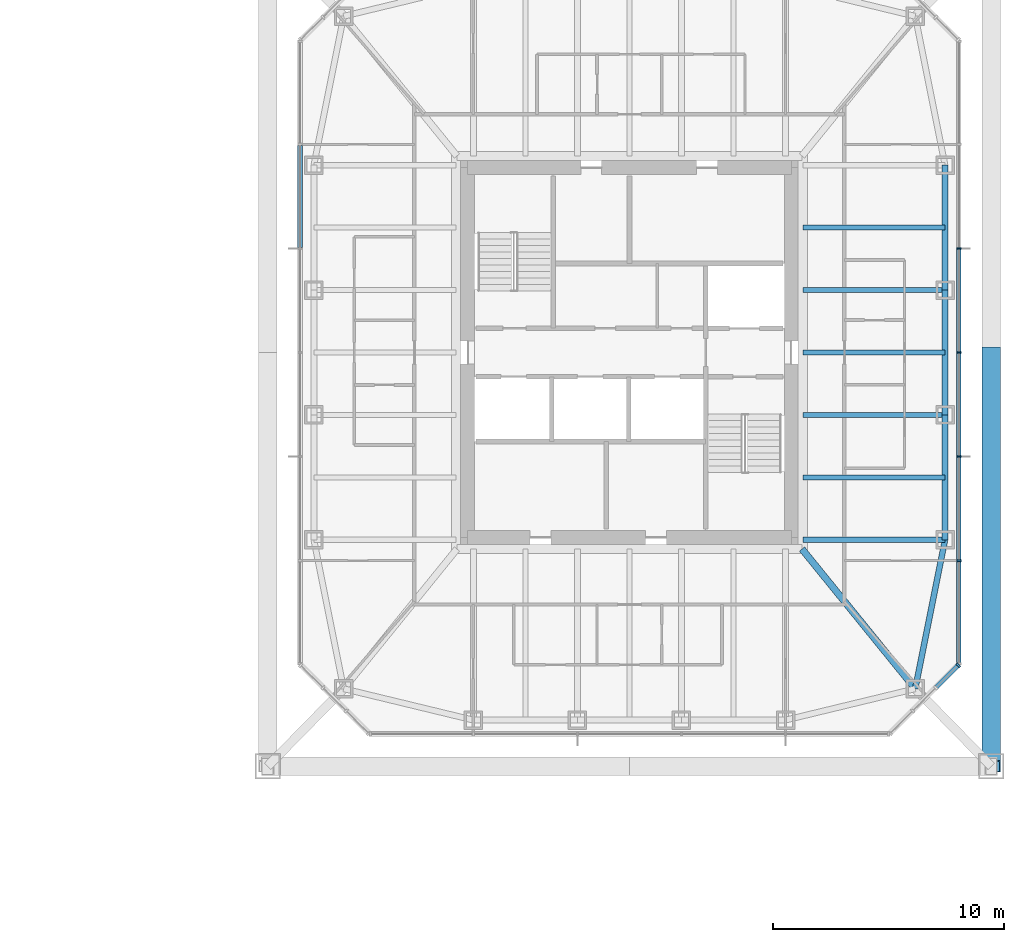
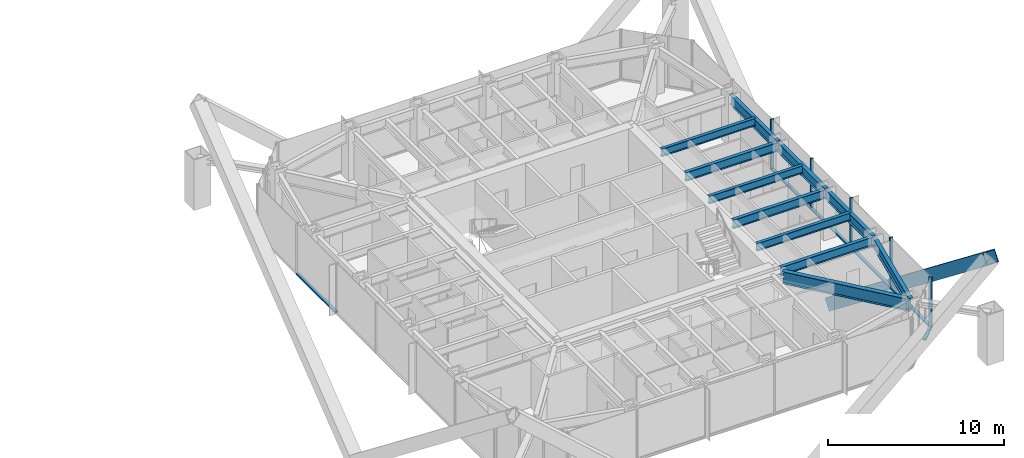
# One storey, part 7 of 23: 12 members, 11 beams, 3 elements without a shape of their own.
"""IFC4 building model written with IfcOpenShell, lengths in metres."""

from ifc_helpers import new_model, si_unit, direction, frame, origin, origin_2d, place, context, subcontext, project, spatial, rectangle, hollow_rectangle, i_section, extrude, material, material_profile, profile_set, type_object, element, aggregate, save


model = new_model("IFC4")

# Units and contexts
model_context = context("Model", 3, precision=1e-05, world=origin(), true_north=direction((0.0, 1.0)))
body_context = subcontext(model_context, "Body", "Model", "MODEL_VIEW")
ifc_project = project(units=[si_unit("LENGTHUNIT", "METRE"), si_unit("AREAUNIT", "SQUARE_METRE"), si_unit("VOLUMEUNIT", "CUBIC_METRE"), si_unit("PLANEANGLEUNIT", "RADIAN"), si_unit("MASSUNIT", "GRAM", prefix="KILO")], contexts=[model_context])

# Site, building, storey
site_placement = place(None, origin())
site = spatial("IfcSite", under=ifc_project, at=site_placement, CompositionType="ELEMENT")
building_placement = place(site_placement, origin())
building = spatial("IfcBuilding", under=site, at=building_placement, Name="Iwan Alto Co-Living Towers", CompositionType="ELEMENT")
storey_placement = place(building_placement, frame((0.0, 0.0, 122.5)))
storey = spatial("IfcBuildingStorey", under=building, at=storey_placement, Name="L33", CompositionType="ELEMENT", Elevation=122.5)

# Curtain wall, members
ifc_material_1 = material(Name="Bronze aluminium unitised frame", Category="aluminium")
curtain_wall_type_1 = type_object("IfcCurtainWallType", Name="CURTAIN WALL CW-C", PredefinedType="NOTDEFINED", material=ifc_material_1)
curtain_wall_1_placement = place(storey_placement, origin())
curtain_wall_1 = element("IfcCurtainWall", 1, at=curtain_wall_1_placement, inside=storey, type_object=curtain_wall_type_1, Name="T2 curtain wall E L33", PredefinedType="NOTDEFINED")
ifc_material_2 = material(Name="Aluminium 6063-T6 bronze anodised", Category="aluminium")
ifc_material_profile_1 = material_profile(ifc_material_2, rectangle(XDim=0.199951171875, YDim=0.080078125, at=origin_2d()), Name="AL 80X200")
ifc_profile_set_1 = profile_set([ifc_material_profile_1], Name="Aluminium 6063-T6 bronze anodised")
member_type_1 = type_object("IfcMemberType", Name="CW-C MULLION 80X200", PredefinedType="MULLION", material=ifc_profile_set_1)
member_1_placement = place(storey_placement, frame((77.25, -9.0, 0.0), z_axis=(0.0, 0.0, 1.0), x_axis=(-1.0, 0.0, 0.0)))
member_1 = element("IfcMember", 2, at=member_1_placement, type_object=member_type_1, Name="CW-C mullion 2", PredefinedType="MULLION", context=body_context, shape_type="SweptSolid", body=[
    extrude(rectangle(XDim=0.199951171875, YDim=0.080078125, at=origin_2d()), origin(), (0.0, 0.0, 1.0), 3.5),
])
member_2_placement = place(storey_placement, frame((77.25, -4.5, 0.0), z_axis=(0.0, 0.0, 1.0), x_axis=(-1.0, 0.0, 0.0)))
member_2 = element("IfcMember", 3, at=member_2_placement, type_object=member_type_1, Name="CW-C mullion 3", PredefinedType="MULLION", context=body_context, shape_type="SweptSolid", body=[
    extrude(rectangle(XDim=0.199951171875, YDim=0.080078125, at=origin_2d()), origin(), (0.0, 0.0, 1.0), 3.5),
])
member_3_placement = place(storey_placement, frame((77.25, 0.0, 0.0), z_axis=(0.0, 0.0, 1.0), x_axis=(-1.0, 0.0, 0.0)))
member_3 = element("IfcMember", 4, at=member_3_placement, type_object=member_type_1, Name="CW-C mullion 4", PredefinedType="MULLION", context=body_context, shape_type="SweptSolid", body=[
    extrude(rectangle(XDim=0.199951171875, YDim=0.080078125, at=origin_2d()), origin(), (0.0, 0.0, 1.0), 3.5),
])
member_4_placement = place(storey_placement, frame((77.25, 4.5, 0.0), z_axis=(0.0, 0.0, 1.0), x_axis=(-1.0, 0.0, 0.0)))
member_4 = element("IfcMember", 5, at=member_4_placement, type_object=member_type_1, Name="CW-C mullion 5", PredefinedType="MULLION", context=body_context, shape_type="SweptSolid", body=[
    extrude(rectangle(XDim=0.199951171875, YDim=0.080078125, at=origin_2d()), origin(), (0.0, 0.0, 1.0), 3.5),
])
ifc_material_3 = material(Name="Aluminium 6063-T6 bronze anodised", Category="aluminium")
ifc_material_profile_2 = material_profile(ifc_material_3, rectangle(XDim=0.199951171875, YDim=0.10009765625, at=origin_2d()), Name="AL 200X100")
ifc_profile_set_2 = profile_set([ifc_material_profile_2], Name="Aluminium 6063-T6 bronze anodised")
member_type_2 = type_object("IfcMemberType", Name="CW-C TRANSOM 200X100", PredefinedType="USERDEFINED", material=ifc_profile_set_2)
member_5_placement = place(storey_placement, frame((77.25, -13.419921875, 0.050048828125), z_axis=(0.0, 1.0, 0.0), x_axis=(-1.0, 0.0, 0.0)))
member_5 = element("IfcMember", 6, at=member_5_placement, type_object=member_type_2, Name="CW-C transom 1.1", ObjectType="TRANSOM", PredefinedType="USERDEFINED", context=body_context, shape_type="SweptSolid", body=[
    extrude(rectangle(XDim=0.199951171875, YDim=0.10009765625, at=origin_2d()), origin(), (0.0, 0.0, 1.0), 4.3798828125),
])
member_6_placement = place(storey_placement, frame((77.25, -8.9599609375, 0.050048828125), z_axis=(0.0, 1.0, 0.0), x_axis=(-1.0, 0.0, 0.0)))
member_6 = element("IfcMember", 7, at=member_6_placement, type_object=member_type_2, Name="CW-C transom 2.1", ObjectType="TRANSOM", PredefinedType="USERDEFINED", context=body_context, shape_type="SweptSolid", body=[
    extrude(rectangle(XDim=0.199951171875, YDim=0.10009765625, at=origin_2d()), origin(), (0.0, 0.0, 1.0), 4.419921875),
])
member_7_placement = place(storey_placement, frame((77.25, -4.4599609375, 0.050048828125), z_axis=(0.0, 1.0, 0.0), x_axis=(-1.0, 0.0, 0.0)))
member_7 = element("IfcMember", 8, at=member_7_placement, type_object=member_type_2, Name="CW-C transom 3.1", ObjectType="TRANSOM", PredefinedType="USERDEFINED", context=body_context, shape_type="SweptSolid", body=[
    extrude(rectangle(XDim=0.199951171875, YDim=0.10009765625, at=origin_2d()), origin(), (0.0, 0.0, 1.0), 4.419921875),
])
member_8_placement = place(storey_placement, frame((77.25, 0.0400390625, 0.050048828125), z_axis=(0.0, 1.0, 0.0), x_axis=(-1.0, 0.0, 0.0)))
member_8 = element("IfcMember", 9, at=member_8_placement, type_object=member_type_2, Name="CW-C transom 4.1", ObjectType="TRANSOM", PredefinedType="USERDEFINED", context=body_context, shape_type="SweptSolid", body=[
    extrude(rectangle(XDim=0.199951171875, YDim=0.10009765625, at=origin_2d()), origin(), (0.0, 0.0, 1.0), 4.419921875),
])
aggregate(curtain_wall_1, [member_1, member_2, member_3, member_4, member_5, member_6, member_7, member_8])

# Curtain wall, member
curtain_wall_2_placement = place(storey_placement, origin())
curtain_wall_2 = element("IfcCurtainWall", 10, at=curtain_wall_2_placement, inside=storey, type_object=curtain_wall_type_1, Name="T2 curtain wall W L33", PredefinedType="NOTDEFINED")
member_9_placement = place(storey_placement, frame((48.75, 8.9599609375, 0.050048828125), z_axis=(0.0, -1.0, 0.0), x_axis=(1.0, 0.0, 0.0)))
member_9 = element("IfcMember", 11, at=member_9_placement, type_object=member_type_2, Name="CW-C transom 2.1", ObjectType="TRANSOM", PredefinedType="USERDEFINED", context=body_context, shape_type="SweptSolid", body=[
    extrude(rectangle(XDim=0.199951171875, YDim=0.10009765625, at=origin_2d()), origin(), (0.0, 0.0, 1.0), 4.419921875),
])
aggregate(curtain_wall_2, [member_9])

# Curtain wall, members
ifc_material_4 = material(Name="Bronze aluminium unitised frame", Category="aluminium")
curtain_wall_type_2 = type_object("IfcCurtainWallType", Name="CURTAIN WALL CW-D", PredefinedType="NOTDEFINED", material=ifc_material_4)
curtain_wall_3_placement = place(storey_placement, origin())
curtain_wall_3 = element("IfcCurtainWall", 12, at=curtain_wall_3_placement, inside=storey, type_object=curtain_wall_type_2, Name="T2 chamfer curtain wall SE L33", PredefinedType="NOTDEFINED")
ifc_material_5 = material(Name="Aluminium 6063-T6 bronze anodised", Category="aluminium")
ifc_material_profile_3 = material_profile(ifc_material_5, rectangle(XDim=0.199951171875, YDim=0.080078125, at=origin_2d()), Name="AL 80X200")
ifc_profile_set_3 = profile_set([ifc_material_profile_3], Name="Aluminium 6063-T6 bronze anodised")
member_type_3 = type_object("IfcMemberType", Name="CW-D MULLION 80X200", PredefinedType="MULLION", material=ifc_profile_set_3)
member_10_placement = place(storey_placement, frame((77.2216796875, -13.5283203125, 0.0), z_axis=(0.0, 0.0, 1.0), x_axis=(-0.707106781187, 0.707106781187, 0.0)))
member_10 = element("IfcMember", 13, at=member_10_placement, type_object=member_type_3, Name="CW-D mullion 4", PredefinedType="MULLION", context=body_context, shape_type="SweptSolid", body=[
    extrude(rectangle(XDim=0.199951171875, YDim=0.080078125, at=origin_2d()), origin(), (0.0, 0.0, 1.0), 3.5),
])
ifc_material_6 = material(Name="Aluminium 6063-T6 bronze anodised", Category="aluminium")
ifc_material_profile_4 = material_profile(ifc_material_6, rectangle(XDim=0.199951171875, YDim=0.10009765625, at=origin_2d()), Name="AL 200X100")
ifc_profile_set_4 = profile_set([ifc_material_profile_4], Name="Aluminium 6063-T6 bronze anodised")
member_type_4 = type_object("IfcMemberType", Name="CW-D TRANSOM 200X100", PredefinedType="USERDEFINED", material=ifc_profile_set_4)
member_11_placement = place(storey_placement, frame((76.2783203125, -14.4716796875, 0.050048828125), z_axis=(0.707106781187, 0.707106781187, 0.0), x_axis=(-0.707106781187, 0.707106781187, 0.0)))
member_11 = element("IfcMember", 14, at=member_11_placement, type_object=member_type_4, Name="CW-D transom 3.1", ObjectType="TRANSOM", PredefinedType="USERDEFINED", context=body_context, shape_type="SweptSolid", body=[
    extrude(rectangle(XDim=0.199951171875, YDim=0.10009765625, at=origin_2d()), origin(), (0.0, 0.0, 1.0), 1.2939453125),
])
aggregate(curtain_wall_3, [member_10, member_11])

# Beams
ifc_material_7 = material(Name="Steel ASTM A992 Gr 50", Category="steel")
ifc_material_profile_5 = material_profile(ifc_material_7, i_section(OverallWidth=0.2919921875, OverallDepth=0.8408203125, WebThickness=0.0146484375, FlangeThickness=0.021728515625, at=origin_2d()), Name="W33X130")
ifc_profile_set_5 = profile_set([ifc_material_profile_5], Name="Steel ASTM A992 Gr 50")
beam_type_1 = type_object("IfcBeamType", Name="T2 CORNER GIRDER W33X130", PredefinedType="BEAM", material=ifc_profile_set_5)
beam_1_placement = place(storey_placement, frame((75.361328125, -14.542724609375, 2.849609375), z_axis=(-0.629783024592, 0.776771100091, 0.0), x_axis=(-0.776771100091, -0.629783024592, 0.0)))
element("IfcBeam", 15, at=beam_1_placement, inside=storey, type_object=beam_type_1, Name="T2 corner girder CSE L34", PredefinedType="BEAM", context=body_context, shape_type="SweptSolid", body=[
    extrude(i_section(OverallWidth=0.2919921875, OverallDepth=0.8408203125, WebThickness=0.0146484375, FlangeThickness=0.021728515625, at=origin_2d()), origin(), (0.0, 0.0, 1.0), 7.780029296875),
])
ifc_material_8 = material(Name="Steel ASTM A992 Gr 50", Category="steel")
ifc_material_profile_6 = material_profile(ifc_material_8, i_section(OverallWidth=0.25390625, OverallDepth=0.683349609375, WebThickness=0.012451171875, FlangeThickness=0.018798828125, at=origin_2d()), Name="W27X94")
ifc_profile_set_6 = profile_set([ifc_material_profile_6], Name="Steel ASTM A992 Gr 50")
beam_type_2 = type_object("IfcBeamType", Name="T2 EDGE BEAM W27X94", PredefinedType="BEAM", material=ifc_profile_set_6)
beam_2_placement = place(storey_placement, frame((75.361328125, -14.542724609375, 2.928466796875), z_axis=(0.196123281025, 0.980579246487, 0.0), x_axis=(-0.980579246487, 0.196123281025, 0.0)))
element("IfcBeam", 16, at=beam_2_placement, inside=storey, type_object=beam_type_2, Name="T2 edge beam CSE L34", PredefinedType="BEAM", context=body_context, shape_type="SweptSolid", body=[
    extrude(i_section(OverallWidth=0.25390625, OverallDepth=0.683349609375, WebThickness=0.012451171875, FlangeThickness=0.018798828125, at=origin_2d()), origin(), (0.0, 0.0, 1.0), 6.5703125),
])
beam_3_placement = place(storey_placement, frame((76.64990234375, -8.10009765625, 2.928466796875), z_axis=(0.0, 1.0, 0.0), x_axis=(-1.0, 0.0, 0.0)))
element("IfcBeam", 17, at=beam_3_placement, inside=storey, type_object=beam_type_2, Name="T2 edge beam E1 L34", PredefinedType="BEAM", context=body_context, shape_type="SweptSolid", body=[
    extrude(i_section(OverallWidth=0.25390625, OverallDepth=0.683349609375, WebThickness=0.012451171875, FlangeThickness=0.018798828125, at=origin_2d()), origin(), (0.0, 0.0, 1.0), 5.400146484375),
])
beam_4_placement = place(storey_placement, frame((76.64990234375, -2.699951171875, 2.928466796875), z_axis=(0.0, 1.0, 0.0), x_axis=(-1.0, 0.0, 0.0)))
element("IfcBeam", 18, at=beam_4_placement, inside=storey, type_object=beam_type_2, Name="T2 edge beam E2 L34", PredefinedType="BEAM", context=body_context, shape_type="SweptSolid", body=[
    extrude(i_section(OverallWidth=0.25390625, OverallDepth=0.683349609375, WebThickness=0.012451171875, FlangeThickness=0.018798828125, at=origin_2d()), origin(), (0.0, 0.0, 1.0), 5.39990234375),
])
beam_5_placement = place(storey_placement, frame((76.64990234375, 2.699951171875, 2.928466796875), z_axis=(0.0, 1.0, 0.0), x_axis=(-1.0, 0.0, 0.0)))
element("IfcBeam", 19, at=beam_5_placement, inside=storey, type_object=beam_type_2, Name="T2 edge beam E3 L34", PredefinedType="BEAM", context=body_context, shape_type="SweptSolid", body=[
    extrude(i_section(OverallWidth=0.25390625, OverallDepth=0.683349609375, WebThickness=0.012451171875, FlangeThickness=0.018798828125, at=origin_2d()), origin(), (0.0, 0.0, 1.0), 5.400146484375),
])

# Member
ifc_material_9 = material(Name="Steel ASTM A572 Gr 50", Category="steel")
ifc_material_profile_7 = material_profile(ifc_material_9, hollow_rectangle(XDim=0.800048828125, YDim=0.800048828125, WallThickness=0.050048828125, at=origin_2d()), Name="BOX 800X800X50")
ifc_profile_set_7 = profile_set([ifc_material_profile_7], Name="Steel ASTM A572 Gr 50")
member_type_5 = type_object("IfcMemberType", Name="T2 MEGA BRACE BOX 800X800X50", PredefinedType="BRACE", material=ifc_profile_set_7)
member_12_placement = place(storey_placement, frame((78.64990234375, 0.0, -7.0), z_axis=(0.0, -0.787689053125, 0.616073011572), x_axis=(1.0, 0.0, 0.0)))
element("IfcMember", 20, at=member_12_placement, inside=storey, type_object=member_type_5, Name="T2 mega brace Z2B E 2 upper", PredefinedType="BRACE", context=body_context, shape_type="SweptSolid", body=[
    extrude(hollow_rectangle(XDim=0.800048828125, YDim=0.800048828125, WallThickness=0.050048828125, at=origin_2d()), origin(), (0.0, 0.0, 1.0), 22.724609375),
])

# Beams
ifc_material_10 = material(Name="Steel ASTM A992 Gr 50", Category="steel")
ifc_material_profile_8 = material_profile(ifc_material_10, i_section(OverallWidth=0.228271484375, OverallDepth=0.607177734375, WebThickness=0.01123046875, FlangeThickness=0.017333984375, at=origin_2d()), Name="W24X76")
ifc_profile_set_8 = profile_set([ifc_material_profile_8], Name="Steel ASTM A992 Gr 50")
beam_type_3 = type_object("IfcBeamType", Name="T2 RADIAL BEAM W24X76", PredefinedType="BEAM", material=ifc_profile_set_8)
for number, where, z_axis, x_axis, name in (
    (21, (76.64990234375, -8.10009765625, 2.966552734375), (-1.0, 0.0, 0.0), (0.0, -1.0, 0.0), "T2 radial beam E1 L34"),
    (22, (76.64990234375, -2.699951171875, 2.966552734375), (-1.0, 0.0, 0.0), (0.0, -1.0, 0.0), "T2 radial beam E2 L34"),
    (23, (76.64990234375, 2.699951171875, 2.966552734375), (-1.0, 0.0, 0.0), (0.0, -1.0, 0.0), "T2 radial beam E3 L34"),
):
    element("IfcBeam", number, at=place(storey_placement, frame(where, z_axis=z_axis, x_axis=x_axis)), inside=storey, type_object=beam_type_3, Name=name, PredefinedType="BEAM", context=body_context, shape_type="SweptSolid", body=[
        extrude(i_section(OverallWidth=0.228271484375, OverallDepth=0.607177734375, WebThickness=0.01123046875, FlangeThickness=0.017333984375, at=origin_2d()), origin(), (0.0, 0.0, 1.0), 6.150390625),
    ])
ifc_material_11 = material(Name="Steel ASTM A992 Gr 50", Category="steel")
ifc_material_profile_9 = material_profile(ifc_material_11, i_section(OverallWidth=0.209228515625, OverallDepth=0.533447265625, WebThickness=0.01025390625, FlangeThickness=0.015625, at=origin_2d()), Name="W21X62")
ifc_profile_set_9 = profile_set([ifc_material_profile_9], Name="Steel ASTM A992 Gr 50")
beam_type_4 = type_object("IfcBeamType", Name="T2 SECONDARY BEAM W21X62", PredefinedType="JOIST", material=ifc_profile_set_9)
for number, where, z_axis, x_axis, name in (
    (24, (76.64990234375, -5.39990234375, 3.00341796875), (-1.0, 0.0, 0.0), (0.0, -1.0, 0.0), "T2 secondary beam E1 L34"),
    (25, (76.64990234375, 0.0, 3.00341796875), (-1.0, 0.0, 0.0), (0.0, -1.0, 0.0), "T2 secondary beam E2 L34"),
    (26, (76.64990234375, 5.39990234375, 3.00341796875), (-1.0, 0.0, 0.0), (0.0, -1.0, 0.0), "T2 secondary beam E3 L34"),
):
    element("IfcBeam", number, at=place(storey_placement, frame(where, z_axis=z_axis, x_axis=x_axis)), inside=storey, type_object=beam_type_4, Name=name, PredefinedType="JOIST", context=body_context, shape_type="SweptSolid", body=[
        extrude(i_section(OverallWidth=0.209228515625, OverallDepth=0.533447265625, WebThickness=0.01025390625, FlangeThickness=0.015625, at=origin_2d()), origin(), (0.0, 0.0, 1.0), 6.150390625),
    ])

save(model, "model.ifc")
